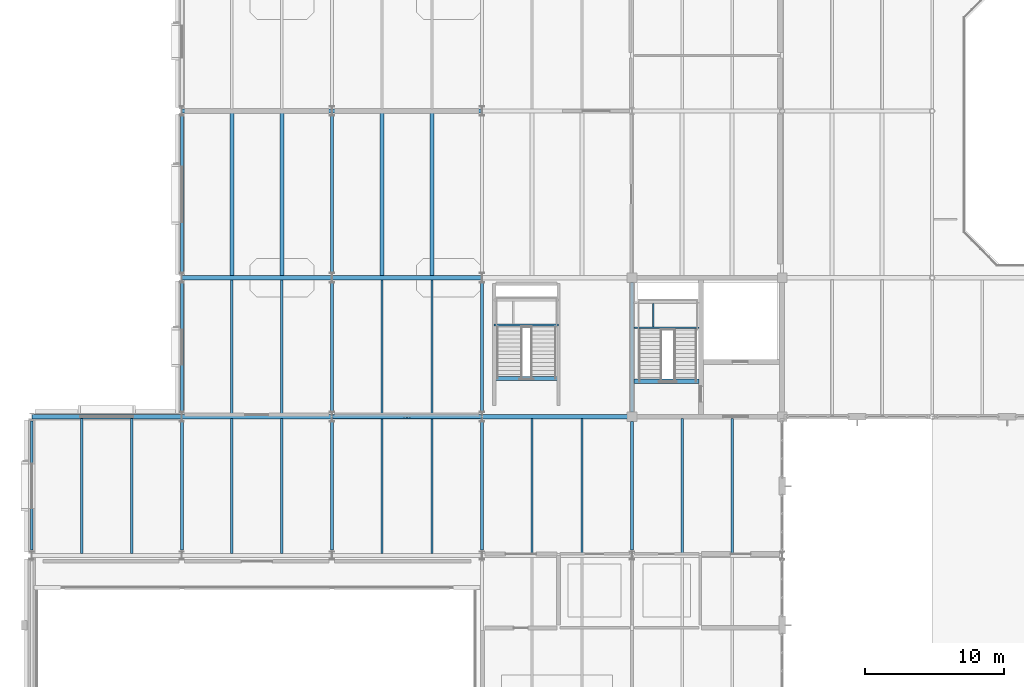
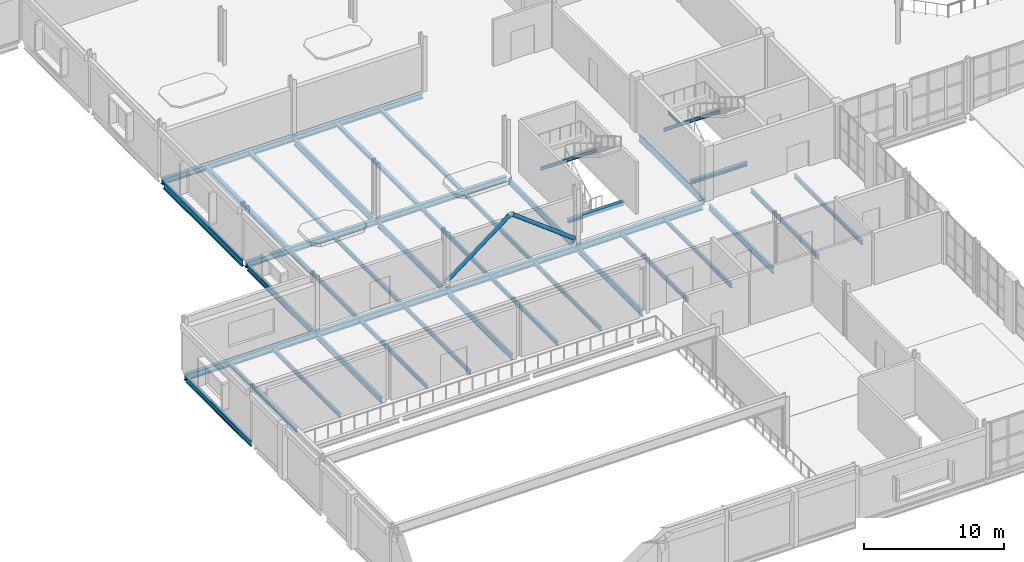
# One storey, part 23 of 92: 42 beams, 2 members.
"""IFC4 building model written with IfcOpenShell, lengths in metres."""

from ifc_helpers import new_model, si_unit, direction, frame, origin, origin_2d, place, context, subcontext, project, spatial, hollow_circle, i_section, extrude, material, material_profile, profile_set, type_object, element, save


model = new_model("IFC4")

# Units and contexts
model_context = context("Model", 3, precision=1e-05, world=origin(), true_north=direction((0.0, 1.0)))
body_context = subcontext(model_context, "Body", "Model", "MODEL_VIEW")
ifc_project = project(units=[si_unit("LENGTHUNIT", "METRE"), si_unit("AREAUNIT", "SQUARE_METRE"), si_unit("VOLUMEUNIT", "CUBIC_METRE"), si_unit("PLANEANGLEUNIT", "RADIAN"), si_unit("MASSUNIT", "GRAM", prefix="KILO")], contexts=[model_context])

# Site, building, storey
site_placement = place(None, origin())
site = spatial("IfcSite", under=ifc_project, at=site_placement, CompositionType="ELEMENT")
building_placement = place(site_placement, origin())
building = spatial("IfcBuilding", under=site, at=building_placement, Name="Tasgan Crest Museum", CompositionType="ELEMENT")
storey_placement = place(building_placement, frame((0.0, 0.0, 4.800048828125)))
storey = spatial("IfcBuildingStorey", under=building, at=storey_placement, Name="L01", CompositionType="ELEMENT", Elevation=4.800048828125)

# Beams
ifc_material_1 = material(Name="Steel S355J2", Category="steel")
ifc_material_profile_1 = material_profile(ifc_material_1, i_section(OverallWidth=0.300048828125, OverallDepth=0.489990234375, WebThickness=0.011962890625, FlangeThickness=0.02294921875, FilletRadius=0.027099609375, at=origin_2d()), Name="HEA 500")
ifc_profile_set_1 = profile_set([ifc_material_profile_1], Name="Steel S355J2")
beam_type_1 = type_object("IfcBeamType", Name="BM-G-HEA500", PredefinedType="BEAM", material=ifc_profile_set_1)
for number, where, z_axis, x_axis, name in (
    (1, (10.806396484375, 50.0, -0.505126953125), (1.0, 0.0, 0.0), (0.0, 1.0, 0.0), "Girder L01 F 10.8-21.6"),
    (2, (21.6064453125, 50.0, -0.505126953125), (1.0, 0.0, 0.0), (0.0, 1.0, 0.0), "Girder L01 F 21.6-32.4"),
    (3, (10.806396484375, 62.0, -0.505126953125), (1.0, 0.0, 0.0), (0.0, 1.0, 0.0), "Girder L01 G 10.8-21.6"),
    (4, (21.6064453125, 62.0, -0.505126953125), (1.0, 0.0, 0.0), (0.0, 1.0, 0.0), "Girder L01 G 21.6-32.4"),
):
    element("IfcBeam", number, at=place(storey_placement, frame(where, z_axis=z_axis, x_axis=x_axis)), inside=storey, type_object=beam_type_1, Name=name, PredefinedType="BEAM", context=body_context, shape_type="SweptSolid", body=[
        extrude(i_section(OverallWidth=0.300048828125, OverallDepth=0.489990234375, WebThickness=0.011962890625, FlangeThickness=0.02294921875, FilletRadius=0.027099609375, at=origin_2d()), origin(), (0.0, 0.0, 1.0), 10.787109375),
    ])
ifc_material_2 = material(Name="Steel S355J2", Category="steel")
ifc_material_profile_2 = material_profile(ifc_material_2, i_section(OverallWidth=0.300048828125, OverallDepth=0.300048828125, WebThickness=0.010986328125, FlangeThickness=0.01904296875, FilletRadius=0.027099609375, at=origin_2d()), Name="HEB 300")
ifc_profile_set_2 = profile_set([ifc_material_profile_2], Name="Steel S355J2")
beam_type_2 = type_object("IfcBeamType", Name="BM-G-HEB300", PredefinedType="BEAM", material=ifc_profile_set_2)
beam_1_placement = place(storey_placement, frame((43.330078125, 42.550048828125, -0.150146484375), z_axis=(1.0, 0.0, 0.0), x_axis=(0.0, 1.0, 0.0)))
element("IfcBeam", 5, at=beam_1_placement, inside=storey, type_object=beam_type_2, Name="Stair threshold trimmer beam ST-SW-L01", PredefinedType="BEAM", context=body_context, shape_type="SweptSolid", body=[
    extrude(i_section(OverallWidth=0.300048828125, OverallDepth=0.300048828125, WebThickness=0.010986328125, FlangeThickness=0.01904296875, FilletRadius=0.027099609375, at=origin_2d()), origin(), (0.0, 0.0, 1.0), 4.68994140625),
])
beam_2_placement = place(storey_placement, frame((33.280029296875, 42.75, -0.150146484375), z_axis=(1.0, 0.0, 0.0), x_axis=(0.0, 1.0, 0.0)))
element("IfcBeam", 6, at=beam_2_placement, inside=storey, type_object=beam_type_2, Name="Stair threshold trimmer beam ST-GP-L01", PredefinedType="BEAM", context=body_context, shape_type="SweptSolid", body=[
    extrude(i_section(OverallWidth=0.300048828125, OverallDepth=0.300048828125, WebThickness=0.010986328125, FlangeThickness=0.01904296875, FilletRadius=0.027099609375, at=origin_2d()), origin(), (0.0, 0.0, 1.0), 4.639892578125),
])
ifc_material_3 = material(Name="Steel S355K2", Category="steel")
ifc_material_profile_3 = material_profile(ifc_material_3, i_section(OverallWidth=0.300048828125, OverallDepth=0.550048828125, WebThickness=0.014892578125, FlangeThickness=0.029052734375, FilletRadius=0.027099609375, at=origin_2d()), Name="HEB 550")
ifc_profile_set_3 = profile_set([ifc_material_profile_3], Name="Steel S355K2")
beam_type_3 = type_object("IfcBeamType", Name="BM-G-HEB550", PredefinedType="BEAM", material=ifc_profile_set_3)
beam_3_placement = place(storey_placement, frame((0.005859375, 40.0, -0.51513671875), z_axis=(1.0, 0.0, 0.0), x_axis=(0.0, 1.0, 0.0)))
element("IfcBeam", 7, at=beam_3_placement, inside=storey, type_object=beam_type_3, Name="Girder L01 E 0.0-10.8", PredefinedType="BEAM", context=body_context, shape_type="SweptSolid", body=[
    extrude(i_section(OverallWidth=0.300048828125, OverallDepth=0.550048828125, WebThickness=0.014892578125, FlangeThickness=0.029052734375, FilletRadius=0.027099609375, at=origin_2d()), origin(), (0.0, 0.0, 1.0), 10.78759765625),
])
for number, where, z_axis, x_axis, name in (
    (8, (10.806396484375, 40.0, -0.53515625), (1.0, 0.0, 0.0), (0.0, 1.0, 0.0), "Girder L01 E 10.8-21.6"),
    (9, (21.6064453125, 40.0, -0.53515625), (1.0, 0.0, 0.0), (0.0, 1.0, 0.0), "Girder L01 E 21.6-32.4"),
):
    element("IfcBeam", number, at=place(storey_placement, frame(where, z_axis=z_axis, x_axis=x_axis)), inside=storey, type_object=beam_type_3, Name=name, PredefinedType="BEAM", context=body_context, shape_type="SweptSolid", body=[
        extrude(i_section(OverallWidth=0.300048828125, OverallDepth=0.550048828125, WebThickness=0.014892578125, FlangeThickness=0.029052734375, FilletRadius=0.027099609375, at=origin_2d()), origin(), (0.0, 0.0, 1.0), 10.787109375),
    ])
beam_4_placement = place(storey_placement, frame((32.406494140625, 40.0, -0.53515625), z_axis=(1.0, 0.0, 0.0), x_axis=(0.0, 1.0, 0.0)))
element("IfcBeam", 10, at=beam_4_placement, inside=storey, type_object=beam_type_3, Name="Girder L01 E 32.4-43.2", PredefinedType="BEAM", context=body_context, shape_type="SweptSolid", body=[
    extrude(i_section(OverallWidth=0.300048828125, OverallDepth=0.550048828125, WebThickness=0.014892578125, FlangeThickness=0.029052734375, FilletRadius=0.027099609375, at=origin_2d()), origin(), (0.0, 0.0, 1.0), 10.447509765625),
])
ifc_material_4 = material(Name="Steel S355J2", Category="steel")
ifc_material_profile_4 = material_profile(ifc_material_4, i_section(OverallWidth=0.199951171875, OverallDepth=0.5, WebThickness=0.01025390625, FlangeThickness=0.01611328125, FilletRadius=0.02099609375, at=origin_2d()), Name="IPE 500")
ifc_profile_set_4 = profile_set([ifc_material_profile_4], Name="Steel S355J2")
beam_type_4 = type_object("IfcBeamType", Name="BM-G-IPE500", PredefinedType="BEAM", material=ifc_profile_set_4)
beam_5_placement = place(storey_placement, frame((0.0, 30.39501953125, -0.489990234375), z_axis=(0.0, 1.0, 0.0), x_axis=(-1.0, 0.0, 0.0)))
element("IfcBeam", 11, at=beam_5_placement, inside=storey, type_object=beam_type_4, Name="Beam L01 1 30.0-40.0", PredefinedType="BEAM", context=body_context, shape_type="SweptSolid", body=[
    extrude(i_section(OverallWidth=0.199951171875, OverallDepth=0.5, WebThickness=0.01025390625, FlangeThickness=0.01611328125, FilletRadius=0.02099609375, at=origin_2d()), origin(), (0.0, 0.0, 1.0), 9.31005859375),
])
beam_6_placement = place(storey_placement, frame((10.800048828125, 30.39501953125, -0.489990234375), z_axis=(0.0, 1.0, 0.0), x_axis=(-1.0, 0.0, 0.0)))
element("IfcBeam", 12, at=beam_6_placement, inside=storey, type_object=beam_type_4, Name="Beam L01 2 30.0-40.0", PredefinedType="BEAM", context=body_context, shape_type="SweptSolid", body=[
    extrude(i_section(OverallWidth=0.199951171875, OverallDepth=0.5, WebThickness=0.01025390625, FlangeThickness=0.01611328125, FilletRadius=0.02099609375, at=origin_2d()), origin(), (0.0, 0.0, 1.0), 9.260009765625),
])
beam_7_placement = place(storey_placement, frame((10.800048828125, 40.344970703125, -0.510009765625), z_axis=(0.0, 1.0, 0.0), x_axis=(-1.0, 0.0, 0.0)))
element("IfcBeam", 13, at=beam_7_placement, inside=storey, type_object=beam_type_4, Name="Beam L01 2 40.0-50.0", PredefinedType="BEAM", context=body_context, shape_type="SweptSolid", body=[
    extrude(i_section(OverallWidth=0.199951171875, OverallDepth=0.5, WebThickness=0.01025390625, FlangeThickness=0.01611328125, FilletRadius=0.02099609375, at=origin_2d()), origin(), (0.0, 0.0, 1.0), 9.31005859375),
])
beam_8_placement = place(storey_placement, frame((21.60009765625, 30.39501953125, -0.489990234375), z_axis=(0.0, 1.0, 0.0), x_axis=(-1.0, 0.0, 0.0)))
element("IfcBeam", 14, at=beam_8_placement, inside=storey, type_object=beam_type_4, Name="Beam L01 3 30.0-40.0", PredefinedType="BEAM", context=body_context, shape_type="SweptSolid", body=[
    extrude(i_section(OverallWidth=0.199951171875, OverallDepth=0.5, WebThickness=0.01025390625, FlangeThickness=0.01611328125, FilletRadius=0.02099609375, at=origin_2d()), origin(), (0.0, 0.0, 1.0), 9.260009765625),
])
beam_9_placement = place(storey_placement, frame((21.60009765625, 40.344970703125, -0.510009765625), z_axis=(0.0, 1.0, 0.0), x_axis=(-1.0, 0.0, 0.0)))
element("IfcBeam", 15, at=beam_9_placement, inside=storey, type_object=beam_type_4, Name="Beam L01 3 40.0-50.0", PredefinedType="BEAM", context=body_context, shape_type="SweptSolid", body=[
    extrude(i_section(OverallWidth=0.199951171875, OverallDepth=0.5, WebThickness=0.01025390625, FlangeThickness=0.01611328125, FilletRadius=0.02099609375, at=origin_2d()), origin(), (0.0, 0.0, 1.0), 9.31005859375),
])
beam_10_placement = place(storey_placement, frame((32.39990234375, 30.39501953125, -0.489990234375), z_axis=(0.0, 1.0, 0.0), x_axis=(-1.0, 0.0, 0.0)))
element("IfcBeam", 16, at=beam_10_placement, inside=storey, type_object=beam_type_4, Name="Beam L01 4 30.0-40.0", PredefinedType="BEAM", context=body_context, shape_type="SweptSolid", body=[
    extrude(i_section(OverallWidth=0.199951171875, OverallDepth=0.5, WebThickness=0.01025390625, FlangeThickness=0.01611328125, FilletRadius=0.02099609375, at=origin_2d()), origin(), (0.0, 0.0, 1.0), 9.260009765625),
])
beam_11_placement = place(storey_placement, frame((32.39990234375, 40.344970703125, -0.510009765625), z_axis=(0.0, 1.0, 0.0), x_axis=(-1.0, 0.0, 0.0)))
element("IfcBeam", 17, at=beam_11_placement, inside=storey, type_object=beam_type_4, Name="Beam L01 4 40.0-50.0", PredefinedType="BEAM", context=body_context, shape_type="SweptSolid", body=[
    extrude(i_section(OverallWidth=0.199951171875, OverallDepth=0.5, WebThickness=0.01025390625, FlangeThickness=0.01611328125, FilletRadius=0.02099609375, at=origin_2d()), origin(), (0.0, 0.0, 1.0), 9.31005859375),
])
beam_12_placement = place(storey_placement, frame((43.199951171875, 30.39501953125, -0.489990234375), z_axis=(0.0, 1.0, 0.0), x_axis=(-1.0, 0.0, 0.0)))
element("IfcBeam", 18, at=beam_12_placement, inside=storey, type_object=beam_type_4, Name="Beam L01 5 30.0-40.0", PredefinedType="BEAM", context=body_context, shape_type="SweptSolid", body=[
    extrude(i_section(OverallWidth=0.199951171875, OverallDepth=0.5, WebThickness=0.01025390625, FlangeThickness=0.01611328125, FilletRadius=0.02099609375, at=origin_2d()), origin(), (0.0, 0.0, 1.0), 9.260009765625),
])
beam_13_placement = place(storey_placement, frame((43.199951171875, 40.344970703125, -0.510009765625), z_axis=(0.0, 1.0, 0.0), x_axis=(-1.0, 0.0, 0.0)))
element("IfcBeam", 19, at=beam_13_placement, inside=storey, type_object=beam_type_4, Name="Beam L01 5 40.0-50.0", PredefinedType="BEAM", context=body_context, shape_type="SweptSolid", body=[
    extrude(i_section(OverallWidth=0.199951171875, OverallDepth=0.5, WebThickness=0.01025390625, FlangeThickness=0.01611328125, FilletRadius=0.02099609375, at=origin_2d()), origin(), (0.0, 0.0, 1.0), 9.31005859375),
])
ifc_material_5 = material(Name="Steel S355J2", Category="steel")
ifc_material_profile_5 = material_profile(ifc_material_5, i_section(OverallWidth=0.219970703125, OverallDepth=0.60009765625, WebThickness=0.011962890625, FlangeThickness=0.01904296875, FilletRadius=0.02392578125, at=origin_2d()), Name="IPE 600")
ifc_profile_set_5 = profile_set([ifc_material_profile_5], Name="Steel S355J2")
beam_type_5 = type_object("IfcBeamType", Name="BM-G-IPE600", PredefinedType="BEAM", material=ifc_profile_set_5)
for number, where, z_axis, x_axis, name in (
    (20, (10.800048828125, 50.344970703125, -0.56005859375), (0.0, 1.0, 0.0), (-1.0, 0.0, 0.0), "Beam L01 2 50.0-62.0"),
    (21, (21.60009765625, 50.344970703125, -0.56005859375), (0.0, 1.0, 0.0), (-1.0, 0.0, 0.0), "Beam L01 3 50.0-62.0"),
):
    element("IfcBeam", number, at=place(storey_placement, frame(where, z_axis=z_axis, x_axis=x_axis)), inside=storey, type_object=beam_type_5, Name=name, PredefinedType="BEAM", context=body_context, shape_type="SweptSolid", body=[
        extrude(i_section(OverallWidth=0.219970703125, OverallDepth=0.60009765625, WebThickness=0.011962890625, FlangeThickness=0.01904296875, FilletRadius=0.02392578125, at=origin_2d()), origin(), (0.0, 0.0, 1.0), 11.31005859375),
    ])
ifc_material_6 = material(Name="Steel S355J2", Category="steel")
ifc_material_profile_6 = material_profile(ifc_material_6, i_section(OverallWidth=0.280029296875, OverallDepth=0.27001953125, WebThickness=0.008056640625, FlangeThickness=0.012939453125, FilletRadius=0.02392578125, at=origin_2d()), Name="HEA 280")
ifc_profile_set_6 = profile_set([ifc_material_profile_6], Name="Steel S355J2")
beam_type_6 = type_object("IfcBeamType", Name="BM-J-HEA280", PredefinedType="JOIST", material=ifc_profile_set_6)
for number, where, z_axis, x_axis, name in (
    (22, (14.39990234375, 50.14501953125, -0.39501953125), (0.0, 1.0, 0.0), (-1.0, 0.0, 0.0), "Secondary joist L01 X=14.4 Y=50.0-62.0"),
    (23, (18.0, 50.14501953125, -0.39501953125), (0.0, 1.0, 0.0), (-1.0, 0.0, 0.0), "Secondary joist L01 X=18.0 Y=50.0-62.0"),
    (24, (25.199951171875, 50.14501953125, -0.39501953125), (0.0, 1.0, 0.0), (-1.0, 0.0, 0.0), "Secondary joist L01 X=25.2 Y=50.0-62.0"),
    (25, (28.800048828125, 50.14501953125, -0.39501953125), (0.0, 1.0, 0.0), (-1.0, 0.0, 0.0), "Secondary joist L01 X=28.8 Y=50.0-62.0"),
):
    element("IfcBeam", number, at=place(storey_placement, frame(where, z_axis=z_axis, x_axis=x_axis)), inside=storey, type_object=beam_type_6, Name=name, PredefinedType="JOIST", context=body_context, shape_type="SweptSolid", body=[
        extrude(i_section(OverallWidth=0.280029296875, OverallDepth=0.27001953125, WebThickness=0.008056640625, FlangeThickness=0.012939453125, FilletRadius=0.02392578125, at=origin_2d()), origin(), (0.0, 0.0, 1.0), 11.7099609375),
    ])
ifc_material_7 = material(Name="Steel S355J2", Category="steel")
ifc_material_profile_7 = material_profile(ifc_material_7, i_section(OverallWidth=0.169921875, OverallDepth=0.360107421875, WebThickness=0.008056640625, FlangeThickness=0.0126953125, FilletRadius=0.01806640625, at=origin_2d()), Name="IPE 360")
ifc_profile_set_7 = profile_set([ifc_material_profile_7], Name="Steel S355J2")
beam_type_7 = type_object("IfcBeamType", Name="BM-J-IPE360", PredefinedType="JOIST", material=ifc_profile_set_7)
for number, where, z_axis, x_axis, name in (
    (26, (3.60009765625, 30.14501953125, -0.420166015625), (0.0, 1.0, 0.0), (-1.0, 0.0, 0.0), "Secondary joist L01 X=3.6 Y=30.0-40.0"),
    (27, (7.199951171875, 30.14501953125, -0.420166015625), (0.0, 1.0, 0.0), (-1.0, 0.0, 0.0), "Secondary joist L01 X=7.2 Y=30.0-40.0"),
    (28, (14.39990234375, 30.14501953125, -0.420166015625), (0.0, 1.0, 0.0), (-1.0, 0.0, 0.0), "Secondary joist L01 X=14.4 Y=30.0-40.0"),
    (29, (18.0, 30.14501953125, -0.420166015625), (0.0, 1.0, 0.0), (-1.0, 0.0, 0.0), "Secondary joist L01 X=18.0 Y=30.0-40.0"),
    (30, (14.39990234375, 40.14501953125, -0.43994140625), (0.0, 1.0, 0.0), (-1.0, 0.0, 0.0), "Secondary joist L01 X=14.4 Y=40.0-50.0"),
    (31, (18.0, 40.14501953125, -0.43994140625), (0.0, 1.0, 0.0), (-1.0, 0.0, 0.0), "Secondary joist L01 X=18.0 Y=40.0-50.0"),
    (32, (25.199951171875, 30.14501953125, -0.420166015625), (0.0, 1.0, 0.0), (-1.0, 0.0, 0.0), "Secondary joist L01 X=25.2 Y=30.0-40.0"),
    (33, (28.800048828125, 30.14501953125, -0.420166015625), (0.0, 1.0, 0.0), (-1.0, 0.0, 0.0), "Secondary joist L01 X=28.8 Y=30.0-40.0"),
    (34, (25.199951171875, 40.14501953125, -0.43994140625), (0.0, 1.0, 0.0), (-1.0, 0.0, 0.0), "Secondary joist L01 X=25.2 Y=40.0-50.0"),
    (35, (28.800048828125, 40.14501953125, -0.43994140625), (0.0, 1.0, 0.0), (-1.0, 0.0, 0.0), "Secondary joist L01 X=28.8 Y=40.0-50.0"),
    (36, (36.0, 30.14501953125, -0.420166015625), (0.0, 1.0, 0.0), (-1.0, 0.0, 0.0), "Secondary joist L01 X=36.0 Y=30.0-40.0"),
    (37, (39.60009765625, 30.14501953125, -0.420166015625), (0.0, 1.0, 0.0), (-1.0, 0.0, 0.0), "Secondary joist L01 X=39.6 Y=30.0-40.0"),
    (38, (46.800048828125, 30.14501953125, -0.420166015625), (0.0, 1.0, 0.0), (-1.0, 0.0, 0.0), "Secondary joist L01 X=46.8 Y=30.0-40.0"),
    (39, (50.39990234375, 30.14501953125, -0.420166015625), (0.0, 1.0, 0.0), (-1.0, 0.0, 0.0), "Secondary joist L01 X=50.4 Y=30.0-40.0"),
):
    element("IfcBeam", number, at=place(storey_placement, frame(where, z_axis=z_axis, x_axis=x_axis)), inside=storey, type_object=beam_type_7, Name=name, PredefinedType="JOIST", context=body_context, shape_type="SweptSolid", body=[
        extrude(i_section(OverallWidth=0.169921875, OverallDepth=0.360107421875, WebThickness=0.008056640625, FlangeThickness=0.0126953125, FilletRadius=0.01806640625, at=origin_2d()), origin(), (0.0, 0.0, 1.0), 9.7099609375),
    ])
ifc_material_8 = material(Name="Steel S355J2", Category="steel")
ifc_material_profile_8 = material_profile(ifc_material_8, i_section(OverallWidth=0.1201171875, OverallDepth=0.239990234375, WebThickness=0.006103515625, FlangeThickness=0.009765625, FilletRadius=0.014892578125, at=origin_2d()), Name="IPE 240")
ifc_profile_set_8 = profile_set([ifc_material_profile_8], Name="Steel S355J2")
beam_type_8 = type_object("IfcBeamType", Name="BM-LAND-IPE240", PredefinedType="BEAM", material=ifc_profile_set_8)
beam_14_placement = place(storey_placement, frame((44.72509765625, 46.465087890625, 2.079833984375), z_axis=(0.0, 1.0, 0.0), x_axis=(-1.0, 0.0, 0.0)))
element("IfcBeam", 40, at=beam_14_placement, inside=storey, type_object=beam_type_8, Name="Stair half-landing crossbeam ST-SW-L01 T1", PredefinedType="BEAM", context=body_context, shape_type="SweptSolid", body=[
    extrude(i_section(OverallWidth=0.1201171875, OverallDepth=0.239990234375, WebThickness=0.006103515625, FlangeThickness=0.009765625, FilletRadius=0.014892578125, at=origin_2d()), origin(), (0.0, 0.0, 1.0), 1.679931640625),
])
ifc_material_9 = material(Name="Steel S355J2", Category="steel")
ifc_material_profile_9 = material_profile(ifc_material_9, i_section(OverallWidth=0.135009765625, OverallDepth=0.27001953125, WebThickness=0.006591796875, FlangeThickness=0.01025390625, FilletRadius=0.014892578125, at=origin_2d()), Name="IPE 270")
ifc_profile_set_9 = profile_set([ifc_material_profile_9], Name="Steel S355J2")
beam_type_9 = type_object("IfcBeamType", Name="BM-LAND-IPE270", PredefinedType="BEAM", material=ifc_profile_set_9)
beam_15_placement = place(storey_placement, frame((43.330078125, 46.405029296875, 2.06494140625), z_axis=(1.0, 0.0, 0.0), x_axis=(0.0, 1.0, 0.0)))
element("IfcBeam", 41, at=beam_15_placement, inside=storey, type_object=beam_type_9, Name="Stair half-landing beam ST-SW-L01 T1F", PredefinedType="BEAM", context=body_context, shape_type="SweptSolid", body=[
    extrude(i_section(OverallWidth=0.135009765625, OverallDepth=0.27001953125, WebThickness=0.006591796875, FlangeThickness=0.01025390625, FilletRadius=0.014892578125, at=origin_2d()), origin(), (0.0, 0.0, 1.0), 4.68994140625),
])
beam_16_placement = place(storey_placement, frame((33.280029296875, 46.60498046875, 2.06494140625), z_axis=(1.0, 0.0, 0.0), x_axis=(0.0, 1.0, 0.0)))
element("IfcBeam", 42, at=beam_16_placement, inside=storey, type_object=beam_type_9, Name="Stair half-landing beam ST-GP-L01 T1F", PredefinedType="BEAM", context=body_context, shape_type="SweptSolid", body=[
    extrude(i_section(OverallWidth=0.135009765625, OverallDepth=0.27001953125, WebThickness=0.006591796875, FlangeThickness=0.01025390625, FilletRadius=0.014892578125, at=origin_2d()), origin(), (0.0, 0.0, 1.0), 4.639892578125),
])

# Members
ifc_material_10 = material(Name="Steel S355K2", Category="steel")
ifc_material_profile_10 = material_profile(ifc_material_10, hollow_circle(Radius=0.161865234375, WallThickness=0.01416015625, at=origin_2d()), Name="CHS 323.9x14.2")
ifc_profile_set_10 = profile_set([ifc_material_profile_10], Name="Steel S355K2")
member_type = type_object("IfcMemberType", Name="MEM-BRACE-CHS323", PredefinedType="BRACE", material=ifc_profile_set_10)
for number, where, z_axis, x_axis, name in (
    (43, (21.75, 40.0, 0.349853515625), (0.796054864328, 0.0, 0.605224464955), (0.0, 1.0, 0.0), "Chevron brace L L01 E 21.6"),
    (44, (32.25, 40.0, 0.349853515625), (-0.796054864328, 0.0, 0.605224464955), (0.0, -1.0, 0.0), "Chevron brace R L01 E 32.4"),
):
    element("IfcMember", number, at=place(storey_placement, frame(where, z_axis=z_axis, x_axis=x_axis)), inside=storey, type_object=member_type, Name=name, PredefinedType="BRACE", context=body_context, shape_type="SweptSolid", body=[
        extrude(hollow_circle(Radius=0.161865234375, WallThickness=0.01416015625, at=origin_2d()), origin(), (0.0, 0.0, 1.0), 6.444091796875),
    ])

save(model, "model.ifc")
